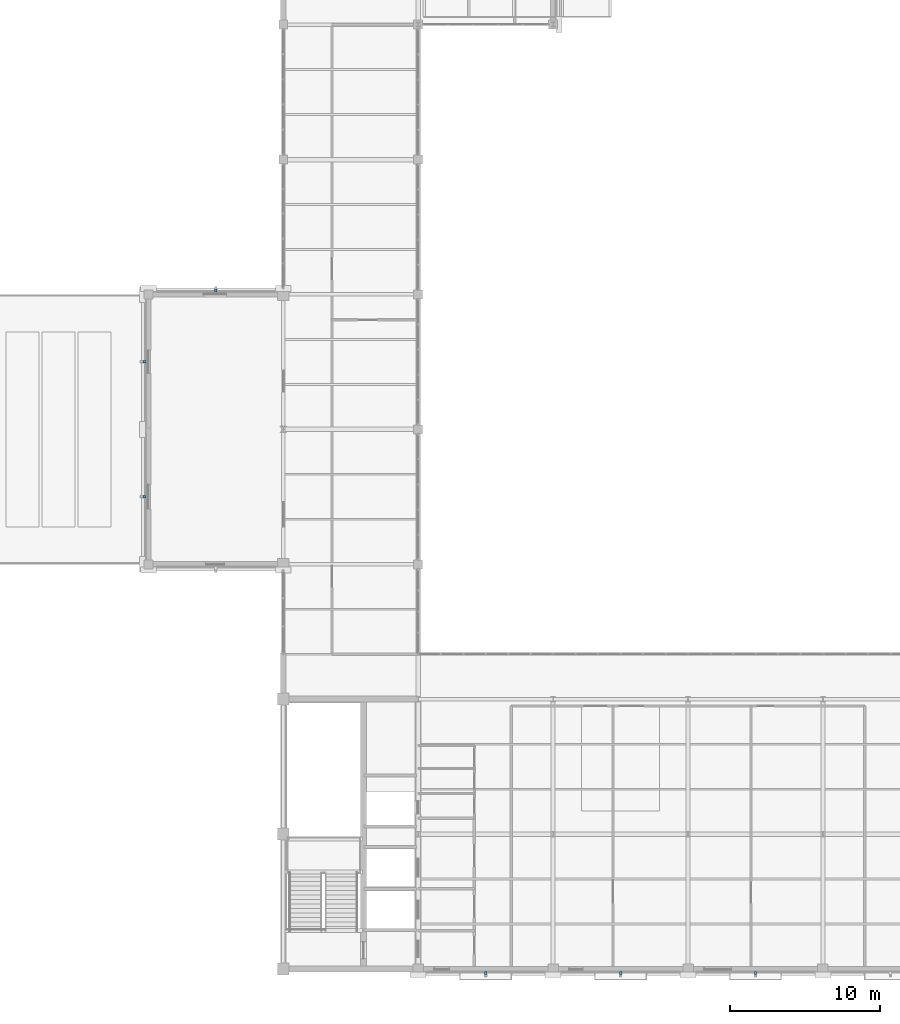
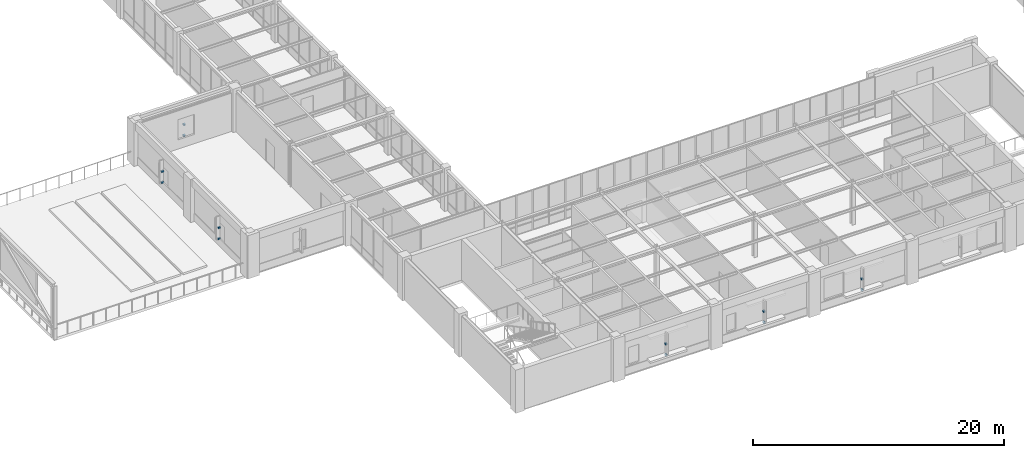
# One storey, part 87 of 97: 12 discrete accessories.
"""IFC4 building model written with IfcOpenShell, lengths in metres."""

from ifc_helpers import new_model, si_unit, direction, frame, origin, origin_2d, place, context, subcontext, project, spatial, rectangle, extrude, material, type_object, element, save


model = new_model("IFC4")

# Units and contexts
model_context = context("Model", 3, precision=1e-05, world=origin(), true_north=direction((0.0, 1.0)))
body_context = subcontext(model_context, "Body", "Model", "MODEL_VIEW")
ifc_project = project(units=[si_unit("LENGTHUNIT", "METRE"), si_unit("AREAUNIT", "SQUARE_METRE"), si_unit("VOLUMEUNIT", "CUBIC_METRE"), si_unit("PLANEANGLEUNIT", "RADIAN"), si_unit("MASSUNIT", "GRAM", prefix="KILO")], contexts=[model_context])

# Site, building, storey
site_placement = place(None, origin())
site = spatial("IfcSite", under=ifc_project, at=site_placement, CompositionType="ELEMENT")
building_placement = place(site_placement, origin())
building = spatial("IfcBuilding", under=site, at=building_placement, Name="Lykobir Media Centre", CompositionType="ELEMENT")
storey_placement = place(building_placement, frame((0.0, 0.0, 23.39990234375)))
storey = spatial("IfcBuildingStorey", under=building, at=storey_placement, Name="L05", CompositionType="ELEMENT", Elevation=23.39990234375)

# Discrete accessories
ifc_material = material(Name="Steel S355", Category="steel")
discrete_accessory_type = type_object("IfcDiscreteAccessoryType", Name="ACC-BRK", PredefinedType="BRACKET", material=ifc_material)
for number, where, z_axis, x_axis, name in (
    (1, (22.5, 45.260009765625, 0.7001953125), (0.0, 0.0, 1.0), (-1.0, 0.0, 0.0), "Cumba corbel bracket 203"),
    (2, (22.5, 45.260009765625, 1.77001953125), (0.0, 0.0, 1.0), (-1.0, 0.0, 0.0), "Shading fin bracket 204"),
    (3, (17.739990234375, 31.5, 0.7001953125), (0.0, 0.0, 1.0), (0.0, -1.0, 0.0), "Cumba corbel bracket 205"),
    (4, (17.739990234375, 31.5, 1.77001953125), (0.0, 0.0, 1.0), (0.0, -1.0, 0.0), "Shading fin bracket 206"),
    (5, (17.739990234375, 40.5, 0.7001953125), (0.0, 0.0, 1.0), (0.0, -1.0, 0.0), "Cumba corbel bracket 207"),
    (6, (17.739990234375, 40.5, 1.77001953125), (0.0, 0.0, 1.0), (0.0, -1.0, 0.0), "Shading fin bracket 208"),
    (7, (40.5, -0.260009765625, 0.7001953125), (0.0, 0.0, 1.0), (1.0, 0.0, 0.0), "Cumba corbel bracket 211"),
    (8, (40.5, -0.260009765625, 1.77001953125), (0.0, 0.0, 1.0), (1.0, 0.0, 0.0), "Shading fin bracket 212"),
    (9, (49.5, -0.260009765625, 0.7001953125), (0.0, 0.0, 1.0), (1.0, 0.0, 0.0), "Cumba corbel bracket 213"),
    (10, (49.5, -0.260009765625, 1.77001953125), (0.0, 0.0, 1.0), (1.0, 0.0, 0.0), "Shading fin bracket 214"),
    (11, (58.5, -0.260009765625, 0.7001953125), (0.0, 0.0, 1.0), (1.0, 0.0, 0.0), "Cumba corbel bracket 215"),
    (12, (58.5, -0.260009765625, 1.77001953125), (0.0, 0.0, 1.0), (1.0, 0.0, 0.0), "Shading fin bracket 216"),
):
    element("IfcDiscreteAccessory", number, at=place(storey_placement, frame(where, z_axis=z_axis, x_axis=x_axis)), inside=storey, type_object=discrete_accessory_type, Name=name, PredefinedType="BRACKET", context=body_context, shape_type="SweptSolid", body=[
        extrude(rectangle(XDim=0.159912109375, YDim=0.219970703125, at=origin_2d()), origin(), (0.0, 0.0, 1.0), 0.159912109375),
    ])

save(model, "model.ifc")
